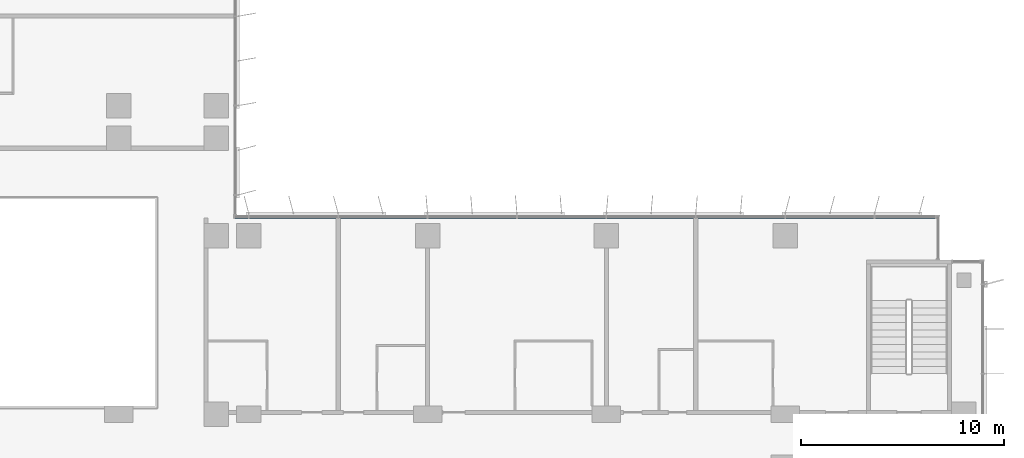
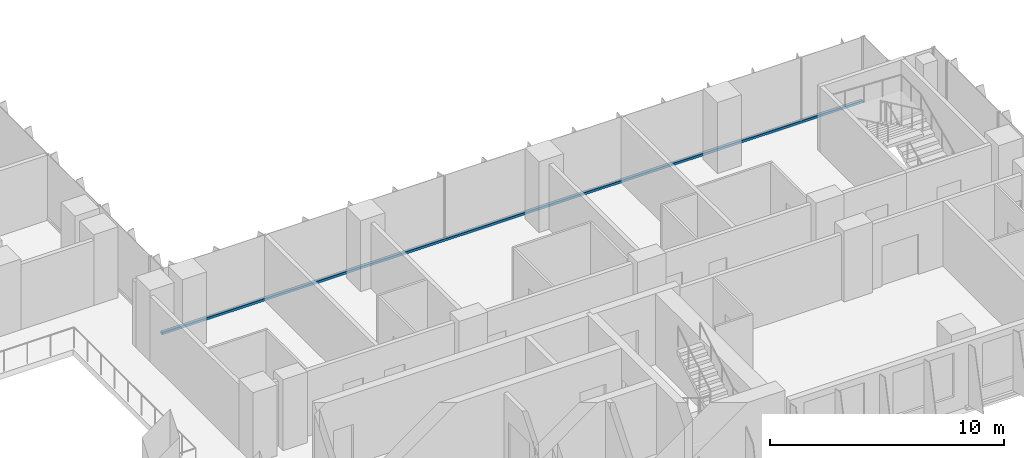
# One storey, part 3 of 22: 1 member, 1 element without a shape of its own.
"""IFC4 building model written with IfcOpenShell, lengths in metres."""

from ifc_helpers import new_model, si_unit, direction, frame, origin, origin_2d, place, context, subcontext, project, spatial, rectangle, extrude, material, material_profile, profile_set, type_object, element, aggregate, save


model = new_model("IFC4")

# Units and contexts
model_context = context("Model", 3, precision=1e-05, world=origin(), true_north=direction((0.0, 1.0)))
body_context = subcontext(model_context, "Body", "Model", "MODEL_VIEW")
ifc_project = project(units=[si_unit("LENGTHUNIT", "METRE"), si_unit("AREAUNIT", "SQUARE_METRE"), si_unit("VOLUMEUNIT", "CUBIC_METRE"), si_unit("PLANEANGLEUNIT", "RADIAN"), si_unit("MASSUNIT", "GRAM", prefix="KILO")], contexts=[model_context])

# Site, building, storey
site_placement = place(None, origin())
site = spatial("IfcSite", under=ifc_project, at=site_placement, CompositionType="ELEMENT")
building_placement = place(site_placement, origin())
building = spatial("IfcBuilding", under=site, at=building_placement, Name="Kemantara Hotel Tower", CompositionType="ELEMENT")
storey_placement = place(building_placement, frame((0.0, 0.0, 90.800048828125)))
storey = spatial("IfcBuildingStorey", under=building, at=storey_placement, Name="L21", CompositionType="ELEMENT", Elevation=90.800048828125)

# Curtain wall, member
ifc_material_1 = material(Name="Low-E tinted double insulated glass 36 mm", Category="glass")
curtain_wall_type = type_object("IfcCurtainWallType", Name="TOWER CURTAIN WALL, FRONT FACES", PredefinedType="USERDEFINED", material=ifc_material_1)
curtain_wall_placement = place(storey_placement, origin())
curtain_wall = element("IfcCurtainWall", 1, at=curtain_wall_placement, inside=storey, type_object=curtain_wall_type, Name="CW4 L21 T2-R13-1", ObjectType="TOWER CURTAIN WALL, FRONT FACES", PredefinedType="USERDEFINED")
ifc_material_2 = material(Name="Aluminium 6063-T6 bronze anodised", Category="aluminium")
ifc_material_profile = material_profile(ifc_material_2, rectangle(XDim=0.14990234375, YDim=0.1201171875, at=origin_2d()), Name="TOWER CURTAIN WALL, FRONT FACES TRANSOM")
ifc_profile_set = profile_set([ifc_material_profile], Name="Aluminium 6063-T6 bronze anodised")
member_type = type_object("IfcMemberType", Name="TOWER CURTAIN WALL, FRONT FACES TRANSOM", PredefinedType="USERDEFINED", material=ifc_profile_set)
member_placement = place(storey_placement, frame((61.25, 21.925048828125, 0.06005859375), z_axis=(-1.0, 0.0, 0.0), x_axis=(0.0, -1.0, 0.0)))
member = element("IfcMember", 2, at=member_placement, type_object=member_type, Name="CW4 sill transom T2-R13-1", ObjectType="TRANSOM", PredefinedType="USERDEFINED", context=body_context, shape_type="SweptSolid", body=[
    extrude(rectangle(XDim=0.14990234375, YDim=0.1201171875, at=origin_2d()), origin(), (0.0, 0.0, 1.0), 34.60009765625),
])
aggregate(curtain_wall, [member])

save(model, "model.ifc")
